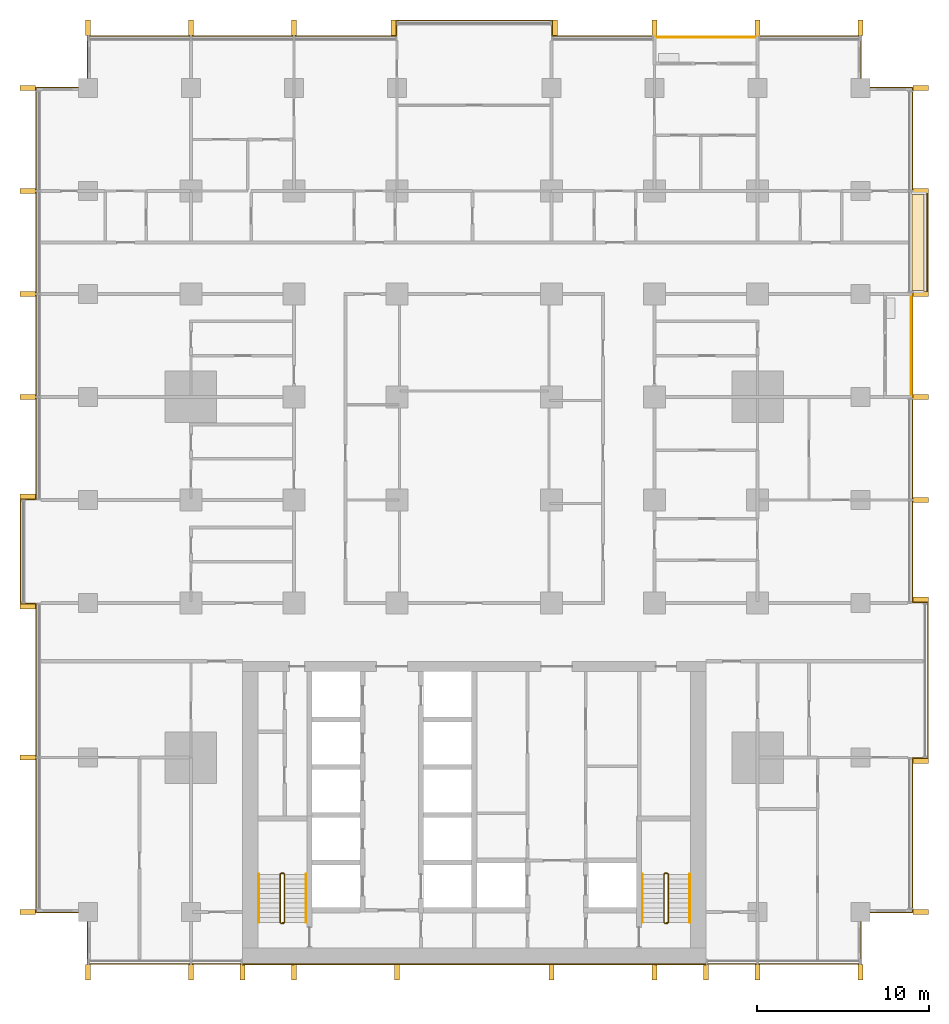
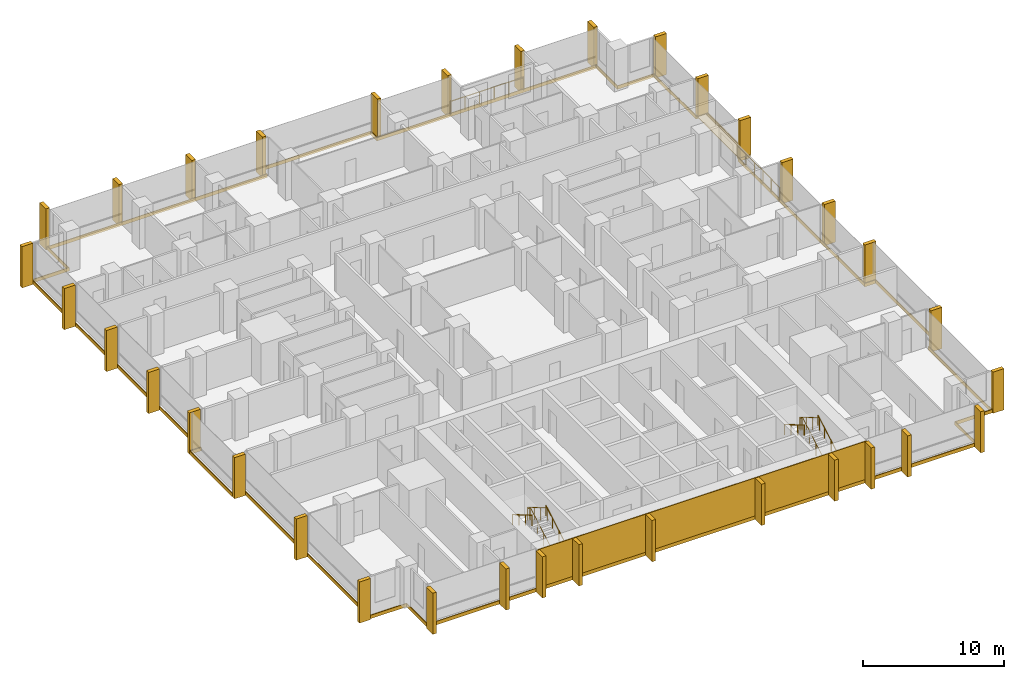
# One storey, part 18 of 18: 34 shading devices, 8 coverings, 8 railings.
"""IFC4 building model written with IfcOpenShell, lengths in metres."""

from ifc_helpers import new_model, si_unit, direction, frame, origin, origin_2d, place, context, subcontext, project, spatial, polyline, rectangle, circle, outline, extrude, material, layer, layer_set, type_object, element, save


model = new_model("IFC4")

# Units and contexts
model_context = context("Model", 3, precision=1e-05, world=origin(), true_north=direction((0.0, 1.0)))
body_context = subcontext(model_context, "Body", "Model", "MODEL_VIEW")
ifc_project = project(units=[si_unit("LENGTHUNIT", "METRE"), si_unit("AREAUNIT", "SQUARE_METRE"), si_unit("VOLUMEUNIT", "CUBIC_METRE"), si_unit("PLANEANGLEUNIT", "RADIAN"), si_unit("MASSUNIT", "GRAM", prefix="KILO")], contexts=[model_context])

# Site, building, storey
site_placement = place(None, origin())
site = spatial("IfcSite", under=ifc_project, at=site_placement, CompositionType="ELEMENT")
building_placement = place(site_placement, origin())
building = spatial("IfcBuilding", under=site, at=building_placement, Name="Finial Court Residences", CompositionType="ELEMENT")
storey_placement = place(building_placement, frame((0.0, 0.0, 68.5)))
storey = spatial("IfcBuildingStorey", under=building, at=storey_placement, Name="L16", CompositionType="ELEMENT", Elevation=68.5)

# Railings
ifc_material_1 = material(Name="Bronze anodised aluminium", Category="aluminium")
railing_type_1 = type_object("IfcRailingType", Name="Balcony guard 1100", PredefinedType="GUARDRAIL", material=ifc_material_1)
railing_1_placement = place(storey_placement, frame((10.5, 28.449951171875, 0.0)))
element("IfcRailing", 1, at=railing_1_placement, inside=storey, type_object=railing_type_1, Name="E-L16-BALN6-R", PredefinedType="GUARDRAIL", context=body_context, shape_type="SweptSolid", body=[
    extrude(circle(Radius=0.02392578125, at=origin_2d()), frame((0.0, 0.0, 1.076171875), z_axis=(1.0, 0.0, 0.0), x_axis=(0.0, 1.0, 0.0)), (0.0, 0.0, 1.0), 6.0),
    extrude(circle(Radius=0.02099609375, at=origin_2d()), origin(), (0.0, 0.0, 1.0), 1.052001953125),
    extrude(circle(Radius=0.02099609375, at=origin_2d()), frame((1.199951171875, 0.0, 0.0)), (0.0, 0.0, 1.0), 1.052001953125),
    extrude(circle(Radius=0.02099609375, at=origin_2d()), frame((2.39990234375, 0.0, 0.0)), (0.0, 0.0, 1.0), 1.052001953125),
    extrude(circle(Radius=0.02099609375, at=origin_2d()), frame((3.60009765625, 0.0, 0.0)), (0.0, 0.0, 1.0), 1.052001953125),
    extrude(circle(Radius=0.02099609375, at=origin_2d()), frame((4.800048828125, 0.0, 0.0)), (0.0, 0.0, 1.0), 1.052001953125),
    extrude(circle(Radius=0.02099609375, at=origin_2d()), frame((6.0, 0.0, 0.0)), (0.0, 0.0, 1.0), 1.052001953125),
])
railing_2_placement = place(storey_placement, frame((25.449951171875, 7.5, 0.0)))
element("IfcRailing", 2, at=railing_2_placement, inside=storey, type_object=railing_type_1, Name="E-L16-BALE5-R", PredefinedType="GUARDRAIL", context=body_context, shape_type="SweptSolid", body=[
    extrude(circle(Radius=0.02392578125, at=origin_2d()), frame((0.0, 0.0, 1.076171875), z_axis=(0.0, 1.0, 0.0), x_axis=(-1.0, 0.0, 0.0)), (0.0, 0.0, 1.0), 6.0),
    extrude(circle(Radius=0.02099609375, at=origin_2d()), origin(), (0.0, 0.0, 1.0), 1.052001953125),
    extrude(circle(Radius=0.02099609375, at=origin_2d()), frame((0.0, 1.199951171875, 0.0)), (0.0, 0.0, 1.0), 1.052001953125),
    extrude(circle(Radius=0.02099609375, at=origin_2d()), frame((0.0, 2.39990234375, 0.0)), (0.0, 0.0, 1.0), 1.052001953125),
    extrude(circle(Radius=0.02099609375, at=origin_2d()), frame((0.0, 3.60009765625, 0.0)), (0.0, 0.0, 1.0), 1.052001953125),
    extrude(circle(Radius=0.02099609375, at=origin_2d()), frame((0.0, 4.800048828125, 0.0)), (0.0, 0.0, 1.0), 1.052001953125),
    extrude(circle(Radius=0.02099609375, at=origin_2d()), frame((0.0, 6.0, 0.0)), (0.0, 0.0, 1.0), 1.052001953125),
])

# Coverings
ifc_material_2 = material(Name="Natural limestone", Category="masonry")
ifc_layer_1 = layer(ifc_material_2, 0.06005859375)
ifc_layer_set_1 = layer_set([ifc_layer_1], Name="Limestone cladding to the blind core face 60")
covering_type_1 = type_object("IfcCoveringType", Name="Limestone cladding to the blind core face 60", PredefinedType="CLADDING", material=ifc_layer_set_1)
covering_1_placement = place(storey_placement, origin())
element("IfcCovering", 3, at=covering_1_placement, inside=storey, type_object=covering_type_1, Name="E-L16-CLAD1", PredefinedType="CLADDING", context=body_context, shape_type="SweptSolid", body=[
    extrude(outline(polyline([(-10.5, -25.56005859375), (-10.5, -25.5), (-13.5, -25.5), (-13.5, -25.56005859375), (-10.5, -25.56005859375)])), origin(), (0.0, 0.0, 1.0), 3.300048828125),
])
covering_2_placement = place(storey_placement, origin())
element("IfcCovering", 4, at=covering_2_placement, inside=storey, type_object=covering_type_1, Name="E-L16-CLAD2", PredefinedType="CLADDING", context=body_context, shape_type="SweptSolid", body=[
    extrude(outline(polyline([(-4.5, -25.56005859375), (-4.5, -25.5), (-10.5, -25.5), (-10.5, -25.56005859375), (-4.5, -25.56005859375)])), origin(), (0.0, 0.0, 1.0), 3.300048828125),
])
covering_3_placement = place(storey_placement, origin())
element("IfcCovering", 5, at=covering_3_placement, inside=storey, type_object=covering_type_1, Name="E-L16-CLAD3", PredefinedType="CLADDING", context=body_context, shape_type="SweptSolid", body=[
    extrude(outline(polyline([(4.5, -25.56005859375), (4.5, -25.5), (-4.5, -25.5), (-4.5, -25.56005859375), (4.5, -25.56005859375)])), origin(), (0.0, 0.0, 1.0), 3.300048828125),
])
covering_4_placement = place(storey_placement, origin())
element("IfcCovering", 6, at=covering_4_placement, inside=storey, type_object=covering_type_1, Name="E-L16-CLAD4", PredefinedType="CLADDING", context=body_context, shape_type="SweptSolid", body=[
    extrude(outline(polyline([(10.5, -25.56005859375), (10.5, -25.5), (4.5, -25.5), (4.5, -25.56005859375), (10.5, -25.56005859375)])), origin(), (0.0, 0.0, 1.0), 3.300048828125),
])
covering_5_placement = place(storey_placement, origin())
element("IfcCovering", 7, at=covering_5_placement, inside=storey, type_object=covering_type_1, Name="E-L16-CLAD5", PredefinedType="CLADDING", context=body_context, shape_type="SweptSolid", body=[
    extrude(outline(polyline([(13.5, -25.56005859375), (13.5, -25.5), (10.5, -25.5), (10.5, -25.56005859375), (13.5, -25.56005859375)])), origin(), (0.0, 0.0, 1.0), 3.300048828125),
])

# Shading devices
shading_device_type = type_object("IfcShadingDeviceType", Name="Limestone fin 300 x 900", PredefinedType="USERDEFINED", material=ifc_material_2)
for number, where, z_axis, x_axis, name in (
    (8, (-22.5, 29.010009765625, -0.300048828125), (0.0, 0.0, 1.0), (1.0, 0.0, 0.0), "E-L16-FIN-N1"),
    (9, (-16.5, 29.010009765625, -0.300048828125), (0.0, 0.0, 1.0), (1.0, 0.0, 0.0), "E-L16-FIN-N2"),
    (10, (-10.5, 29.010009765625, -0.300048828125), (0.0, 0.0, 1.0), (1.0, 0.0, 0.0), "E-L16-FIN-N3"),
    (11, (-4.7099609375, 29.010009765625, -0.300048828125), (0.0, 0.0, 1.0), (1.0, 0.0, 0.0), "E-L16-FIN-N4"),
    (12, (4.7099609375, 29.010009765625, -0.300048828125), (0.0, 0.0, 1.0), (1.0, 0.0, 0.0), "E-L16-FIN-N5"),
    (13, (10.5, 29.010009765625, -0.300048828125), (0.0, 0.0, 1.0), (1.0, 0.0, 0.0), "E-L16-FIN-N6"),
    (14, (16.5, 29.010009765625, -0.300048828125), (0.0, 0.0, 1.0), (1.0, 0.0, 0.0), "E-L16-FIN-N7"),
    (15, (22.5, 29.010009765625, -0.300048828125), (0.0, 0.0, 1.0), (1.0, 0.0, 0.0), "E-L16-FIN-N8"),
):
    element("IfcShadingDevice", number, at=place(storey_placement, frame(where, z_axis=z_axis, x_axis=x_axis)), inside=storey, type_object=shading_device_type, Name=name, ObjectType="FIN", PredefinedType="USERDEFINED", context=body_context, shape_type="SweptSolid", body=[
        extrude(rectangle(XDim=0.300048828125, YDim=0.89990234375, at=origin_2d()), origin(), (0.0, 0.0, 1.0), 3.580078125),
    ])
for number, where, z_axis, x_axis, name in (
    (16, (26.010009765625, -22.5, -0.300048828125), (0.0, 0.0, 1.0), (1.0, 0.0, 0.0), "E-L16-FIN-E9"),
    (17, (26.010009765625, -13.7099609375, -0.300048828125), (0.0, 0.0, 1.0), (1.0, 0.0, 0.0), "E-L16-FIN-E10"),
    (18, (26.010009765625, -4.2900390625, -0.300048828125), (0.0, 0.0, 1.0), (1.0, 0.0, 0.0), "E-L16-FIN-E11"),
    (19, (26.010009765625, 1.5, -0.300048828125), (0.0, 0.0, 1.0), (1.0, 0.0, 0.0), "E-L16-FIN-E12"),
    (20, (26.010009765625, 7.5, -0.300048828125), (0.0, 0.0, 1.0), (1.0, 0.0, 0.0), "E-L16-FIN-E13"),
):
    element("IfcShadingDevice", number, at=place(storey_placement, frame(where, z_axis=z_axis, x_axis=x_axis)), inside=storey, type_object=shading_device_type, Name=name, ObjectType="FIN", PredefinedType="USERDEFINED", context=body_context, shape_type="SweptSolid", body=[
        extrude(rectangle(XDim=0.89990234375, YDim=0.300048828125, at=origin_2d()), origin(), (0.0, 0.0, 1.0), 3.580078125),
    ])
for number, where, z_axis, x_axis, name in (
    (21, (26.010009765625, 13.5, 0.0400390625), (0.0, 0.0, 1.0), (1.0, 0.0, 0.0), "E-L16-FIN-E14"),
    (22, (26.010009765625, 19.5, 0.0400390625), (0.0, 0.0, 1.0), (1.0, 0.0, 0.0), "E-L16-FIN-E15"),
):
    element("IfcShadingDevice", number, at=place(storey_placement, frame(where, z_axis=z_axis, x_axis=x_axis)), inside=storey, type_object=shading_device_type, Name=name, ObjectType="FIN", PredefinedType="USERDEFINED", context=body_context, shape_type="SweptSolid", body=[
        extrude(rectangle(XDim=0.89990234375, YDim=0.300048828125, at=origin_2d()), origin(), (0.0, 0.0, 1.0), 3.239990234375),
    ])
shading_device_placement = place(storey_placement, frame((26.010009765625, 25.5, -0.300048828125), z_axis=(0.0, 0.0, 1.0), x_axis=(1.0, 0.0, 0.0)))
element("IfcShadingDevice", 23, at=shading_device_placement, inside=storey, type_object=shading_device_type, Name="E-L16-FIN-E16", ObjectType="FIN", PredefinedType="USERDEFINED", context=body_context, shape_type="SweptSolid", body=[
    extrude(rectangle(XDim=0.89990234375, YDim=0.300048828125, at=origin_2d()), origin(), (0.0, 0.0, 1.0), 3.580078125),
])
for number, where, z_axis, x_axis, name in (
    (24, (-22.5, -26.010009765625, -0.300048828125), (0.0, 0.0, 1.0), (1.0, 0.0, 0.0), "E-L16-FIN-S17"),
    (25, (-16.5, -26.010009765625, -0.300048828125), (0.0, 0.0, 1.0), (1.0, 0.0, 0.0), "E-L16-FIN-S18"),
    (26, (-13.5, -26.010009765625, -0.300048828125), (0.0, 0.0, 1.0), (1.0, 0.0, 0.0), "E-L16-FIN-S19"),
    (27, (-10.5, -26.010009765625, -0.300048828125), (0.0, 0.0, 1.0), (1.0, 0.0, 0.0), "E-L16-FIN-S20"),
    (28, (-4.5, -26.010009765625, -0.300048828125), (0.0, 0.0, 1.0), (1.0, 0.0, 0.0), "E-L16-FIN-S21"),
    (29, (4.5, -26.010009765625, -0.300048828125), (0.0, 0.0, 1.0), (1.0, 0.0, 0.0), "E-L16-FIN-S22"),
    (30, (10.5, -26.010009765625, -0.300048828125), (0.0, 0.0, 1.0), (1.0, 0.0, 0.0), "E-L16-FIN-S23"),
    (31, (13.5, -26.010009765625, -0.300048828125), (0.0, 0.0, 1.0), (1.0, 0.0, 0.0), "E-L16-FIN-S24"),
    (32, (16.5, -26.010009765625, -0.300048828125), (0.0, 0.0, 1.0), (1.0, 0.0, 0.0), "E-L16-FIN-S25"),
    (33, (22.5, -26.010009765625, -0.300048828125), (0.0, 0.0, 1.0), (1.0, 0.0, 0.0), "E-L16-FIN-S26"),
):
    element("IfcShadingDevice", number, at=place(storey_placement, frame(where, z_axis=z_axis, x_axis=x_axis)), inside=storey, type_object=shading_device_type, Name=name, ObjectType="FIN", PredefinedType="USERDEFINED", context=body_context, shape_type="SweptSolid", body=[
        extrude(rectangle(XDim=0.300048828125, YDim=0.89990234375, at=origin_2d()), origin(), (0.0, 0.0, 1.0), 3.580078125),
    ])
for number, where, z_axis, x_axis, name in (
    (34, (-26.010009765625, -22.5, -0.300048828125), (0.0, 0.0, 1.0), (1.0, 0.0, 0.0), "E-L16-FIN-W27"),
    (35, (-26.010009765625, -13.5, -0.300048828125), (0.0, 0.0, 1.0), (1.0, 0.0, 0.0), "E-L16-FIN-W28"),
    (36, (-26.010009765625, -4.7099609375, -0.300048828125), (0.0, 0.0, 1.0), (1.0, 0.0, 0.0), "E-L16-FIN-W29"),
    (37, (-26.010009765625, 1.7099609375, -0.300048828125), (0.0, 0.0, 1.0), (1.0, 0.0, 0.0), "E-L16-FIN-W30"),
    (38, (-26.010009765625, 7.5, -0.300048828125), (0.0, 0.0, 1.0), (1.0, 0.0, 0.0), "E-L16-FIN-W31"),
    (39, (-26.010009765625, 13.5, -0.300048828125), (0.0, 0.0, 1.0), (1.0, 0.0, 0.0), "E-L16-FIN-W32"),
    (40, (-26.010009765625, 19.5, -0.300048828125), (0.0, 0.0, 1.0), (1.0, 0.0, 0.0), "E-L16-FIN-W33"),
    (41, (-26.010009765625, 25.5, -0.300048828125), (0.0, 0.0, 1.0), (1.0, 0.0, 0.0), "E-L16-FIN-W34"),
):
    element("IfcShadingDevice", number, at=place(storey_placement, frame(where, z_axis=z_axis, x_axis=x_axis)), inside=storey, type_object=shading_device_type, Name=name, ObjectType="FIN", PredefinedType="USERDEFINED", context=body_context, shape_type="SweptSolid", body=[
        extrude(rectangle(XDim=0.89990234375, YDim=0.300048828125, at=origin_2d()), origin(), (0.0, 0.0, 1.0), 3.580078125),
    ])

# Coverings
ifc_material_3 = material(Name="Pale limestone", Category="masonry")
ifc_layer_2 = layer(ifc_material_3, 0.06005859375)
ifc_layer_set_2 = layer_set([ifc_layer_2], Name="Pale limestone slab-edge band 60")
covering_type_2 = type_object("IfcCoveringType", Name="Pale limestone slab-edge band 60", PredefinedType="CLADDING", material=ifc_layer_set_2)
covering_6_placement = place(storey_placement, frame((0.0, 0.0, -0.300048828125)))
element("IfcCovering", 42, at=covering_6_placement, inside=storey, type_object=covering_type_2, Name="E-L16-BAND1", PredefinedType="CLADDING", context=body_context, shape_type="SweptSolid", body=[
    extrude(outline(polyline([(22.56005859375, -22.56005859375), (22.56005859375, -25.56005859375), (-22.56005859375, -25.56005859375), (-22.56005859375, -22.56005859375), (-25.56005859375, -22.56005859375), (-25.56005859375, -4.56005859375), (-26.4599609375, -4.56005859375), (-26.4599609375, 1.56005859375), (-25.56005859375, 1.56005859375), (-25.56005859375, 25.56005859375), (-22.56005859375, 25.56005859375), (-22.56005859375, 28.56005859375), (-4.56005859375, 28.56005859375), (-4.56005859375, 29.4599609375), (4.56005859375, 29.4599609375), (4.56005859375, 28.56005859375), (22.56005859375, 28.56005859375), (22.56005859375, 25.56005859375), (25.56005859375, 25.56005859375), (25.56005859375, 19.56005859375), (26.4599609375, 19.56005859375), (26.4599609375, 13.43994140625), (25.56005859375, 13.43994140625), (25.56005859375, -4.43994140625), (26.4599609375, -4.43994140625), (26.4599609375, -13.56005859375), (25.56005859375, -13.56005859375), (25.56005859375, -22.56005859375), (22.56005859375, -22.56005859375)]), holes=[polyline([(25.5, -13.5), (26.39990234375, -13.5), (26.39990234375, -4.5), (25.5, -4.5), (25.5, 7.5), (25.5, 13.5), (26.39990234375, 13.5), (26.39990234375, 19.5), (25.5, 19.5), (25.5, 25.5), (22.5, 25.5), (22.5, 28.5), (16.5, 28.5), (10.5, 28.5), (4.5, 28.5), (4.5, 29.39990234375), (-4.5, 29.39990234375), (-4.5, 28.5), (-22.5, 28.5), (-22.5, 25.5), (-25.5, 25.5), (-25.5, 1.5), (-26.39990234375, 1.5), (-26.39990234375, -4.5), (-25.5, -4.5), (-25.5, -22.5), (-22.5, -22.5), (-22.5, -25.5), (22.5, -25.5), (22.5, -22.5), (25.5, -22.5), (25.5, -13.5)])]), origin(), (0.0, 0.0, 1.0), 0.300048828125),
])
ifc_material_4 = material(Name="Bitumen membrane")
ifc_layer_3 = layer(ifc_material_4, 0.0400390625)
ifc_layer_set_3 = layer_set([ifc_layer_3], Name="Push box roofing, bitumen membrane 40")
covering_type_3 = type_object("IfcCoveringType", Name="Push box roofing, bitumen membrane 40", PredefinedType="ROOFING", material=ifc_layer_set_3)
covering_7_placement = place(storey_placement, origin())
element("IfcCovering", 43, at=covering_7_placement, inside=storey, type_object=covering_type_3, Name="E-L16-LED1", PredefinedType="ROOFING", context=body_context, shape_type="SweptSolid", body=[
    extrude(outline(polyline([(25.5, 13.550048828125), (26.199951171875, 13.550048828125), (26.35009765625, 13.550048828125), (26.35009765625, 19.300048828125), (26.35009765625, 19.300048828125), (26.35009765625, 19.449951171875), (25.5, 19.449951171875), (25.5, 19.5), (26.39990234375, 19.5), (26.39990234375, 13.5), (25.5, 13.5), (25.5, 13.550048828125)])), origin(), (0.0, 0.0, 1.0), 0.0400390625),
])
covering_8_placement = place(storey_placement, origin())
element("IfcCovering", 44, at=covering_8_placement, inside=storey, type_object=covering_type_3, Name="E-L16-LED1b", PredefinedType="ROOFING", context=body_context, shape_type="SweptSolid", body=[
    extrude(outline(polyline([(25.5, 19.300048828125), (26.199951171875, 19.300048828125), (26.199951171875, 13.699951171875), (25.5, 13.699951171875), (25.5, 19.300048828125)])), origin(), (0.0, 0.0, 1.0), 0.0400390625),
])

# Railings
ifc_material_5 = material(Name="Stainless steel railing", Category="steel")
railing_type_2 = type_object("IfcRailingType", Name="Stair guard 1100", PredefinedType="GUARDRAIL", material=ifc_material_5)
railing_3_placement = place(storey_placement, frame((-11.10009765625, -23.14990234375, 0.0)))
element("IfcRailing", 45, at=railing_3_placement, inside=storey, type_object=railing_type_2, Name="L16 ST-1 stair guard 1", PredefinedType="GUARDRAIL", context=body_context, shape_type="SweptSolid", body=[
    extrude(circle(Radius=0.02392578125, at=origin_2d()), frame((0.0, 0.0, 1.076171875), z_axis=(-1.0, 0.0, 0.0), x_axis=(0.0, -1.0, 0.0)), (0.0, 0.0, 1.0), 0.14990234375),
    extrude(circle(Radius=0.02392578125, at=origin_2d()), frame((-0.14990234375, 0.0, 1.076171875), z_axis=(0.760004195007, 0.189305074214, 0.621737253547), x_axis=(-0.241699205484, 0.970351222016, 0.0)), (0.0, 0.0, 1.0), 0.26318359375),
    extrude(circle(Radius=0.02392578125, at=origin_2d()), frame((0.050048828125, 0.0498046875, 1.23974609375), z_axis=(0.0, 0.863360870873, 0.504586966384), x_axis=(-1.0, 0.0, 0.0)), (0.0, 0.0, 1.0), 3.2431640625),
    extrude(circle(Radius=0.02392578125, at=origin_2d()), frame((0.050048828125, 2.849853515625, 2.8759765625), z_axis=(-0.707106781187, 0.707106781187, 0.0), x_axis=(-0.707106781187, -0.707106781187, 0.0)), (0.0, 0.0, 1.0), 0.07080078125),
    extrude(circle(Radius=0.02392578125, at=origin_2d()), frame((0.0, 2.89990234375, 2.8759765625), z_axis=(-1.0, 0.0, 0.0), x_axis=(0.0, -1.0, 0.0)), (0.0, 0.0, 1.0), 0.14990234375),
    extrude(circle(Radius=0.02392578125, at=origin_2d()), frame((-0.14990234375, 2.89990234375, 2.8759765625), z_axis=(-0.280808744504, -0.280808744504, 0.917765164963), x_axis=(0.707106781187, -0.707106781187, 0.0)), (0.0, 0.0, 1.0), 0.17822265625),
    extrude(circle(Radius=0.02392578125, at=origin_2d()), frame((-0.199951171875, 2.849853515625, 3.03955078125), z_axis=(0.0, -0.863360870873, 0.504586966384), x_axis=(1.0, 0.0, 0.0)), (0.0, 0.0, 1.0), 3.2431640625),
    extrude(circle(Radius=0.02099609375, at=origin_2d()), origin(), (0.0, 0.0, 1.0), 1.052001953125),
    extrude(circle(Radius=0.02099609375, at=origin_2d()), frame((-0.14990234375, 0.0, 0.0)), (0.0, 0.0, 1.0), 1.052001953125),
    extrude(circle(Radius=0.02099609375, at=origin_2d()), frame((0.050048828125, 0.0498046875, 0.16357421875)), (0.0, 0.0, 1.0), 1.052001953125),
    extrude(circle(Radius=0.02099609375, at=origin_2d()), frame((0.050048828125, 0.983154296875, 0.708984375)), (0.0, 0.0, 1.0), 1.052001953125),
    extrude(circle(Radius=0.02099609375, at=origin_2d()), frame((0.050048828125, 1.91650390625, 1.254638671875)), (0.0, 0.0, 1.0), 1.052001953125),
    extrude(circle(Radius=0.02099609375, at=origin_2d()), frame((0.050048828125, 2.849853515625, 1.800048828125)), (0.0, 0.0, 1.0), 1.052001953125),
    extrude(circle(Radius=0.02099609375, at=origin_2d()), frame((0.0, 2.89990234375, 1.800048828125)), (0.0, 0.0, 1.0), 1.052001953125),
    extrude(circle(Radius=0.02099609375, at=origin_2d()), frame((-0.14990234375, 2.89990234375, 1.800048828125)), (0.0, 0.0, 1.0), 1.052001953125),
    extrude(circle(Radius=0.02099609375, at=origin_2d()), frame((-0.199951171875, 2.849853515625, 1.963623046875)), (0.0, 0.0, 1.0), 1.052001953125),
    extrude(circle(Radius=0.02099609375, at=origin_2d()), frame((-0.199951171875, 1.91650390625, 2.509033203125)), (0.0, 0.0, 1.0), 1.052001953125),
    extrude(circle(Radius=0.02099609375, at=origin_2d()), frame((-0.199951171875, 0.983154296875, 3.0546875)), (0.0, 0.0, 1.0), 1.052001953125),
    extrude(circle(Radius=0.02099609375, at=origin_2d()), frame((-0.199951171875, 0.0498046875, 3.60009765625)), (0.0, 0.0, 1.0), 1.052001953125),
])
railing_4_placement = place(storey_placement, frame((11.25, -23.14990234375, 0.0)))
element("IfcRailing", 46, at=railing_4_placement, inside=storey, type_object=railing_type_2, Name="L16 ST-2 stair guard 1", PredefinedType="GUARDRAIL", context=body_context, shape_type="SweptSolid", body=[
    extrude(circle(Radius=0.02392578125, at=origin_2d()), frame((0.0, 0.0, 1.076171875), z_axis=(-1.0, 0.0, 0.0), x_axis=(0.0, -1.0, 0.0)), (0.0, 0.0, 1.0), 0.14990234375),
    extrude(circle(Radius=0.02392578125, at=origin_2d()), frame((-0.14990234375, 0.0, 1.076171875), z_axis=(0.760004195007, 0.189305074214, 0.621737253547), x_axis=(-0.241699205484, 0.970351222016, 0.0)), (0.0, 0.0, 1.0), 0.26318359375),
    extrude(circle(Radius=0.02392578125, at=origin_2d()), frame((0.050048828125, 0.0498046875, 1.23974609375), z_axis=(0.0, 0.863360870873, 0.504586966384), x_axis=(-1.0, 0.0, 0.0)), (0.0, 0.0, 1.0), 3.2431640625),
    extrude(circle(Radius=0.02392578125, at=origin_2d()), frame((0.050048828125, 2.849853515625, 2.8759765625), z_axis=(-0.707106781187, 0.707106781187, 0.0), x_axis=(-0.707106781187, -0.707106781187, 0.0)), (0.0, 0.0, 1.0), 0.07080078125),
    extrude(circle(Radius=0.02392578125, at=origin_2d()), frame((0.0, 2.89990234375, 2.8759765625), z_axis=(-1.0, 0.0, 0.0), x_axis=(0.0, -1.0, 0.0)), (0.0, 0.0, 1.0), 0.14990234375),
    extrude(circle(Radius=0.02392578125, at=origin_2d()), frame((-0.14990234375, 2.89990234375, 2.8759765625), z_axis=(-0.280808744504, -0.280808744504, 0.917765164963), x_axis=(0.707106781187, -0.707106781187, 0.0)), (0.0, 0.0, 1.0), 0.17822265625),
    extrude(circle(Radius=0.02392578125, at=origin_2d()), frame((-0.199951171875, 2.849853515625, 3.03955078125), z_axis=(0.0, -0.863360870873, 0.504586966384), x_axis=(1.0, 0.0, 0.0)), (0.0, 0.0, 1.0), 3.2431640625),
    extrude(circle(Radius=0.02099609375, at=origin_2d()), origin(), (0.0, 0.0, 1.0), 1.052001953125),
    extrude(circle(Radius=0.02099609375, at=origin_2d()), frame((-0.14990234375, 0.0, 0.0)), (0.0, 0.0, 1.0), 1.052001953125),
    extrude(circle(Radius=0.02099609375, at=origin_2d()), frame((0.050048828125, 0.0498046875, 0.16357421875)), (0.0, 0.0, 1.0), 1.052001953125),
    extrude(circle(Radius=0.02099609375, at=origin_2d()), frame((0.050048828125, 0.983154296875, 0.708984375)), (0.0, 0.0, 1.0), 1.052001953125),
    extrude(circle(Radius=0.02099609375, at=origin_2d()), frame((0.050048828125, 1.91650390625, 1.254638671875)), (0.0, 0.0, 1.0), 1.052001953125),
    extrude(circle(Radius=0.02099609375, at=origin_2d()), frame((0.050048828125, 2.849853515625, 1.800048828125)), (0.0, 0.0, 1.0), 1.052001953125),
    extrude(circle(Radius=0.02099609375, at=origin_2d()), frame((0.0, 2.89990234375, 1.800048828125)), (0.0, 0.0, 1.0), 1.052001953125),
    extrude(circle(Radius=0.02099609375, at=origin_2d()), frame((-0.14990234375, 2.89990234375, 1.800048828125)), (0.0, 0.0, 1.0), 1.052001953125),
    extrude(circle(Radius=0.02099609375, at=origin_2d()), frame((-0.199951171875, 2.849853515625, 1.963623046875)), (0.0, 0.0, 1.0), 1.052001953125),
    extrude(circle(Radius=0.02099609375, at=origin_2d()), frame((-0.199951171875, 1.91650390625, 2.509033203125)), (0.0, 0.0, 1.0), 1.052001953125),
    extrude(circle(Radius=0.02099609375, at=origin_2d()), frame((-0.199951171875, 0.983154296875, 3.0546875)), (0.0, 0.0, 1.0), 1.052001953125),
    extrude(circle(Radius=0.02099609375, at=origin_2d()), frame((-0.199951171875, 0.0498046875, 3.60009765625)), (0.0, 0.0, 1.0), 1.052001953125),
])
railing_type_3 = type_object("IfcRailingType", Name="Stair handrail 900", PredefinedType="HANDRAIL", material=ifc_material_5)
railing_5_placement = place(storey_placement, frame((-9.800048828125, -23.10009765625, 0.16357421875)))
element("IfcRailing", 47, at=railing_5_placement, inside=storey, type_object=railing_type_3, Name="L16 ST-1 stair handrail 1", PredefinedType="HANDRAIL", context=body_context, shape_type="SweptSolid", body=[
    extrude(circle(Radius=0.02392578125, at=origin_2d()), frame((0.0, 0.0, 0.8759765625), z_axis=(0.0, 0.863360870873, 0.504586966384), x_axis=(-1.0, 0.0, 0.0)), (0.0, 0.0, 1.0), 3.2431640625),
    extrude(circle(Radius=0.02099609375, at=origin_2d()), origin(), (0.0, 0.0, 1.0), 0.851806640625),
    extrude(circle(Radius=0.02099609375, at=origin_2d()), frame((0.0, 0.933349609375, 0.54541015625)), (0.0, 0.0, 1.0), 0.851806640625),
    extrude(circle(Radius=0.02099609375, at=origin_2d()), frame((0.0, 1.86669921875, 1.091064453125)), (0.0, 0.0, 1.0), 0.851806640625),
    extrude(circle(Radius=0.02099609375, at=origin_2d()), frame((0.0, 2.800048828125, 1.636474609375)), (0.0, 0.0, 1.0), 0.851806640625),
])
railing_6_placement = place(storey_placement, frame((-12.550048828125, -20.300048828125, 1.963623046875)))
element("IfcRailing", 48, at=railing_6_placement, inside=storey, type_object=railing_type_3, Name="L16 ST-1 stair handrail 2", PredefinedType="HANDRAIL", context=body_context, shape_type="SweptSolid", body=[
    extrude(circle(Radius=0.02392578125, at=origin_2d()), frame((0.0, 0.0, 0.8759765625), z_axis=(0.0, -0.863360870873, 0.504586966384), x_axis=(1.0, 0.0, 0.0)), (0.0, 0.0, 1.0), 3.2431640625),
    extrude(circle(Radius=0.02099609375, at=origin_2d()), origin(), (0.0, 0.0, 1.0), 0.851806640625),
    extrude(circle(Radius=0.02099609375, at=origin_2d()), frame((0.0, -0.933349609375, 0.54541015625)), (0.0, 0.0, 1.0), 0.851806640625),
    extrude(circle(Radius=0.02099609375, at=origin_2d()), frame((0.0, -1.86669921875, 1.091064453125)), (0.0, 0.0, 1.0), 0.851806640625),
    extrude(circle(Radius=0.02099609375, at=origin_2d()), frame((0.0, -2.800048828125, 1.636474609375)), (0.0, 0.0, 1.0), 0.851806640625),
])
railing_7_placement = place(storey_placement, frame((12.550048828125, -23.10009765625, 0.16357421875)))
element("IfcRailing", 49, at=railing_7_placement, inside=storey, type_object=railing_type_3, Name="L16 ST-2 stair handrail 1", PredefinedType="HANDRAIL", context=body_context, shape_type="SweptSolid", body=[
    extrude(circle(Radius=0.02392578125, at=origin_2d()), frame((0.0, 0.0, 0.8759765625), z_axis=(0.0, 0.863360870873, 0.504586966384), x_axis=(-1.0, 0.0, 0.0)), (0.0, 0.0, 1.0), 3.2431640625),
    extrude(circle(Radius=0.02099609375, at=origin_2d()), origin(), (0.0, 0.0, 1.0), 0.851806640625),
    extrude(circle(Radius=0.02099609375, at=origin_2d()), frame((0.0, 0.933349609375, 0.54541015625)), (0.0, 0.0, 1.0), 0.851806640625),
    extrude(circle(Radius=0.02099609375, at=origin_2d()), frame((0.0, 1.86669921875, 1.091064453125)), (0.0, 0.0, 1.0), 0.851806640625),
    extrude(circle(Radius=0.02099609375, at=origin_2d()), frame((0.0, 2.800048828125, 1.636474609375)), (0.0, 0.0, 1.0), 0.851806640625),
])
railing_8_placement = place(storey_placement, frame((9.800048828125, -20.300048828125, 1.963623046875)))
element("IfcRailing", 50, at=railing_8_placement, inside=storey, type_object=railing_type_3, Name="L16 ST-2 stair handrail 2", PredefinedType="HANDRAIL", context=body_context, shape_type="SweptSolid", body=[
    extrude(circle(Radius=0.02392578125, at=origin_2d()), frame((0.0, 0.0, 0.8759765625), z_axis=(0.0, -0.863360870873, 0.504586966384), x_axis=(1.0, 0.0, 0.0)), (0.0, 0.0, 1.0), 3.2431640625),
    extrude(circle(Radius=0.02099609375, at=origin_2d()), origin(), (0.0, 0.0, 1.0), 0.851806640625),
    extrude(circle(Radius=0.02099609375, at=origin_2d()), frame((0.0, -0.933349609375, 0.54541015625)), (0.0, 0.0, 1.0), 0.851806640625),
    extrude(circle(Radius=0.02099609375, at=origin_2d()), frame((0.0, -1.86669921875, 1.091064453125)), (0.0, 0.0, 1.0), 0.851806640625),
    extrude(circle(Radius=0.02099609375, at=origin_2d()), frame((0.0, -2.800048828125, 1.636474609375)), (0.0, 0.0, 1.0), 0.851806640625),
])

save(model, "model.ifc")
